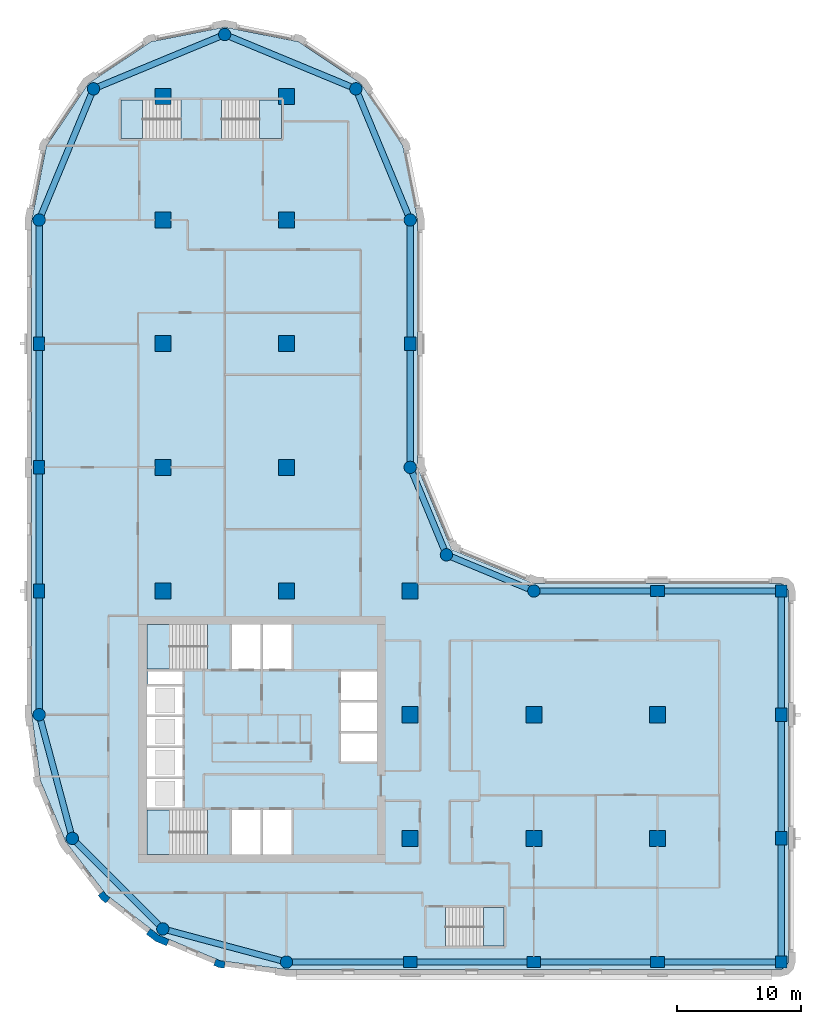
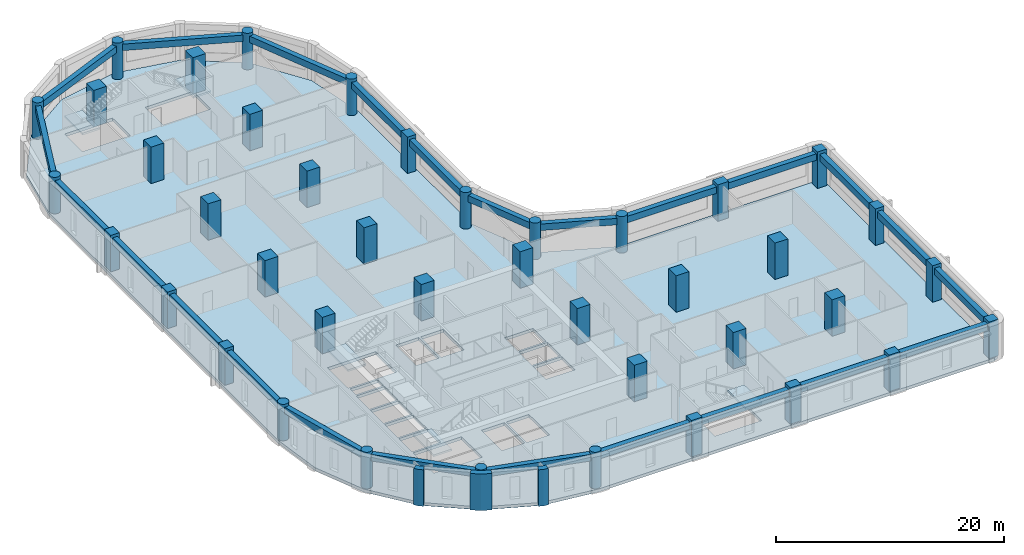
# One storey, part 1 of 10: 41 columns, 24 beams, 6 slabs, 3 walls, 5 elements without a shape of their own.
"""IFC4 building model written with IfcOpenShell, lengths in metres."""

from ifc_helpers import new_model, si_unit, direction, frame, origin, origin_2d, place, context, subcontext, project, spatial, polyline, rectangle, circle, outline, extrude, material, layer, layer_set, material_profile, profile_set, type_object, element, aggregate, save


model = new_model("IFC4")

# Units and contexts
model_context = context("Model", 3, precision=1e-05, world=origin(), true_north=direction((0.0, 1.0)))
body_context = subcontext(model_context, "Body", "Model", "MODEL_VIEW")
ifc_project = project(units=[si_unit("LENGTHUNIT", "METRE"), si_unit("AREAUNIT", "SQUARE_METRE"), si_unit("VOLUMEUNIT", "CUBIC_METRE"), si_unit("PLANEANGLEUNIT", "RADIAN"), si_unit("MASSUNIT", "GRAM", prefix="KILO")], contexts=[model_context])

# Site, building, storey
site_placement = place(None, origin())
site = spatial("IfcSite", under=ifc_project, at=site_placement, CompositionType="ELEMENT")
building_placement = place(site_placement, origin())
building = spatial("IfcBuilding", under=site, at=building_placement, Name="Qaws Garden Tower", CompositionType="ELEMENT")
storey_placement = place(building_placement, frame((0.0, 0.0, 209.699951171875)))
storey = spatial("IfcBuildingStorey", under=building, at=storey_placement, Name="L51", CompositionType="ELEMENT", Elevation=209.699951171875)

# Columns
ifc_material_1 = material(Name="Concrete C70", Category="concrete")
ifc_material_profile_1 = material_profile(ifc_material_1, rectangle(XDim=1.10009765625, YDim=0.89990234375, at=origin_2d()), Name="RC 1100x900")
ifc_profile_set_1 = profile_set([ifc_material_profile_1], Name="Concrete C70")
column_type_1 = type_object("IfcColumnType", Name="Column RC 1100x900 C70", PredefinedType="COLUMN", material=ifc_profile_set_1)
for number, where, z_axis, x_axis, name in (
    (1, (30.0, 0.0, 0.0), (0.0, 0.0, 1.0), (1.0, 0.0, 0.0), "Column L51-002"),
    (2, (40.0, 0.0, 0.0), (0.0, 0.0, 1.0), (1.0, 0.0, 0.0), "Column L51-003"),
    (3, (50.0, 0.0, 0.0), (0.0, 0.0, 1.0), (1.0, 0.0, 0.0), "Column L51-004"),
    (4, (60.0, 10.0, 0.0), (0.0, 0.0, 1.0), (0.0, 1.0, 0.0), "Column L51-006"),
    (5, (60.0, 20.0, 0.0), (0.0, 0.0, 1.0), (0.0, 1.0, 0.0), "Column L51-007"),
    (6, (50.0, 30.0, 0.0), (0.0, 0.0, 1.0), (1.0, 0.0, 0.0), "Column L51-009"),
    (7, (30.0, 50.0, 0.0), (0.0, 0.0, 1.0), (0.0, 1.0, 0.0), "Column L51-013"),
    (8, (0.0, 50.0, 0.0), (0.0, 0.0, 1.0), (0.0, 1.0, 0.0), "Column L51-019"),
    (9, (0.0, 40.0, 0.0), (0.0, 0.0, 1.0), (0.0, 1.0, 0.0), "Column L51-020"),
    (10, (0.0, 30.0, 0.0), (0.0, 0.0, 1.0), (0.0, 1.0, 0.0), "Column L51-021"),
):
    element("IfcColumn", number, at=place(storey_placement, frame(where, z_axis=z_axis, x_axis=x_axis)), inside=storey, type_object=column_type_1, Name=name, PredefinedType="COLUMN", context=body_context, shape_type="SweptSolid", body=[
        extrude(rectangle(XDim=1.10009765625, YDim=0.89990234375, at=origin_2d()), origin(), (0.0, 0.0, 1.0), 3.900146484375),
    ])
ifc_material_2 = material(Name="Concrete C70", Category="concrete")
ifc_material_profile_2 = material_profile(ifc_material_2, rectangle(XDim=1.300048828125, YDim=1.300048828125, at=origin_2d()), Name="RC 1300x1300")
ifc_profile_set_2 = profile_set([ifc_material_profile_2], Name="Concrete C70")
column_type_2 = type_object("IfcColumnType", Name="Column RC 1300x1300 C70", PredefinedType="COLUMN", material=ifc_profile_set_2)
for number, where, z_axis, x_axis, name in (
    (11, (10.0, 30.0, 0.0), (0.0, 0.0, 1.0), (1.0, 0.0, 0.0), "Column L51-025"),
    (12, (10.0, 40.0, 0.0), (0.0, 0.0, 1.0), (1.0, 0.0, 0.0), "Column L51-026"),
    (13, (10.0, 50.0, 0.0), (0.0, 0.0, 1.0), (1.0, 0.0, 0.0), "Column L51-027"),
    (14, (10.0, 60.0, 0.0), (0.0, 0.0, 1.0), (1.0, 0.0, 0.0), "Column L51-028"),
    (15, (10.0, 70.0, 0.0), (0.0, 0.0, 1.0), (1.0, 0.0, 0.0), "Column L51-029"),
    (16, (20.0, 30.0, 0.0), (0.0, 0.0, 1.0), (1.0, 0.0, 0.0), "Column L51-030"),
    (17, (20.0, 40.0, 0.0), (0.0, 0.0, 1.0), (1.0, 0.0, 0.0), "Column L51-031"),
    (18, (20.0, 50.0, 0.0), (0.0, 0.0, 1.0), (1.0, 0.0, 0.0), "Column L51-032"),
    (19, (20.0, 60.0, 0.0), (0.0, 0.0, 1.0), (1.0, 0.0, 0.0), "Column L51-033"),
    (20, (20.0, 70.0, 0.0), (0.0, 0.0, 1.0), (1.0, 0.0, 0.0), "Column L51-034"),
    (21, (30.0, 10.0, 0.0), (0.0, 0.0, 1.0), (1.0, 0.0, 0.0), "Column L51-035"),
    (22, (30.0, 20.0, 0.0), (0.0, 0.0, 1.0), (1.0, 0.0, 0.0), "Column L51-036"),
    (23, (30.0, 30.0, 0.0), (0.0, 0.0, 1.0), (1.0, 0.0, 0.0), "Column L51-037"),
    (24, (40.0, 10.0, 0.0), (0.0, 0.0, 1.0), (1.0, 0.0, 0.0), "Column L51-038"),
    (25, (40.0, 20.0, 0.0), (0.0, 0.0, 1.0), (1.0, 0.0, 0.0), "Column L51-039"),
    (26, (50.0, 10.0, 0.0), (0.0, 0.0, 1.0), (1.0, 0.0, 0.0), "Column L51-040"),
    (27, (50.0, 20.0, 0.0), (0.0, 0.0, 1.0), (1.0, 0.0, 0.0), "Column L51-041"),
):
    element("IfcColumn", number, at=place(storey_placement, frame(where, z_axis=z_axis, x_axis=x_axis)), inside=storey, type_object=column_type_2, Name=name, PredefinedType="COLUMN", context=body_context, shape_type="SweptSolid", body=[
        extrude(rectangle(XDim=1.300048828125, YDim=1.300048828125, at=origin_2d()), origin(), (0.0, 0.0, 1.0), 3.900146484375),
    ])
ifc_material_3 = material(Name="Concrete C70", Category="concrete")
ifc_material_profile_3 = material_profile(ifc_material_3, rectangle(XDim=0.949951171875, YDim=0.949951171875, at=origin_2d()), Name="RC 950x950")
ifc_profile_set_3 = profile_set([ifc_material_profile_3], Name="Concrete C70")
column_type_3 = type_object("IfcColumnType", Name="Column RC 950x950 C70", PredefinedType="COLUMN", material=ifc_profile_set_3)
for number, where, z_axis, x_axis, name in (
    (28, (60.0, 0.0, 0.0), (0.0, 0.0, 1.0), (1.0, 0.0, 0.0), "Column L51-005"),
    (29, (60.0, 30.0, 0.0), (0.0, 0.0, 1.0), (1.0, 0.0, 0.0), "Column L51-008"),
):
    element("IfcColumn", number, at=place(storey_placement, frame(where, z_axis=z_axis, x_axis=x_axis)), inside=storey, type_object=column_type_3, Name=name, PredefinedType="COLUMN", context=body_context, shape_type="SweptSolid", body=[
        extrude(rectangle(XDim=0.949951171875, YDim=0.949951171875, at=origin_2d()), origin(), (0.0, 0.0, 1.0), 3.900146484375),
    ])
ifc_material_4 = material(Name="Concrete C70", Category="concrete")
ifc_material_profile_4 = material_profile(ifc_material_4, circle(Radius=0.5, at=origin_2d()), Name="RC D1000")
ifc_profile_set_4 = profile_set([ifc_material_profile_4], Name="Concrete C70")
column_type_4 = type_object("IfcColumnType", Name="Column RC D1000 C70", PredefinedType="COLUMN", material=ifc_profile_set_4)
for number, where, z_axis, x_axis, name in (
    (30, (20.0, 0.0, 0.0), (0.0, 0.0, 1.0), (1.0, 0.0, 0.0), "Column L51-001"),
    (31, (40.0, 30.0, 0.0), (0.0, 0.0, 1.0), (1.0, 0.0, 0.0), "Column L51-010"),
    (32, (32.928955078125, 32.928955078125, 0.0), (0.0, 0.0, 1.0), (1.0, 0.0, 0.0), "Column L51-011"),
    (33, (30.0, 40.0, 0.0), (0.0, 0.0, 1.0), (1.0, 0.0, 0.0), "Column L51-012"),
    (34, (30.0, 60.0, 0.0), (0.0, 0.0, 1.0), (1.0, 0.0, 0.0), "Column L51-014"),
    (35, (25.606689453125, 70.606689453125, 0.0), (0.0, 0.0, 1.0), (1.0, 0.0, 0.0), "Column L51-015"),
    (36, (15.0, 75.0, 0.0), (0.0, 0.0, 1.0), (1.0, 0.0, 0.0), "Column L51-016"),
    (37, (4.393310546875, 70.606689453125, 0.0), (0.0, 0.0, 1.0), (1.0, 0.0, 0.0), "Column L51-017"),
    (38, (0.0, 60.0, 0.0), (0.0, 0.0, 1.0), (1.0, 0.0, 0.0), "Column L51-018"),
    (39, (0.0, 20.0, 0.0), (0.0, 0.0, 1.0), (1.0, 0.0, 0.0), "Column L51-022"),
    (40, (2.679443359375, 10.0, 0.0), (0.0, 0.0, 1.0), (1.0, 0.0, 0.0), "Column L51-023"),
    (41, (10.0, 2.679443359375, 0.0), (0.0, 0.0, 1.0), (1.0, 0.0, 0.0), "Column L51-024"),
):
    element("IfcColumn", number, at=place(storey_placement, frame(where, z_axis=z_axis, x_axis=x_axis)), inside=storey, type_object=column_type_4, Name=name, PredefinedType="COLUMN", context=body_context, shape_type="SweptSolid", body=[
        extrude(circle(Radius=0.5, at=origin_2d()), origin(), (0.0, 0.0, 1.0), 3.900146484375),
    ])

# Beams
ifc_material_5 = material(Name="Concrete C45", Category="concrete")
ifc_material_profile_5 = material_profile(ifc_material_5, rectangle(XDim=0.5, YDim=0.699951171875, at=origin_2d()), Name="RC 500x700")
ifc_profile_set_5 = profile_set([ifc_material_profile_5], Name="Concrete C45")
beam_type = type_object("IfcBeamType", Name="Spandrel beam RC 500x700 C45", PredefinedType="SPANDREL", material=ifc_profile_set_5)
for number, where, z_axis, x_axis, name in (
    (42, (20.0, 0.0, 3.22998046875), (1.0, 0.0, 0.0), (0.0, 1.0, 0.0), "Spandrel beam L51-001"),
    (43, (30.0, 0.0, 3.22998046875), (1.0, 0.0, 0.0), (0.0, 1.0, 0.0), "Spandrel beam L51-002"),
    (44, (40.0, 0.0, 3.22998046875), (1.0, 0.0, 0.0), (0.0, 1.0, 0.0), "Spandrel beam L51-003"),
    (45, (50.0, 0.0, 3.22998046875), (1.0, 0.0, 0.0), (0.0, 1.0, 0.0), "Spandrel beam L51-004"),
    (46, (60.0, 0.0, 3.22998046875), (0.0, 1.0, 0.0), (-1.0, 0.0, 0.0), "Spandrel beam L51-005"),
    (47, (60.0, 10.0, 3.22998046875), (0.0, 1.0, 0.0), (-1.0, 0.0, 0.0), "Spandrel beam L51-006"),
    (48, (60.0, 20.0, 3.22998046875), (0.0, 1.0, 0.0), (-1.0, 0.0, 0.0), "Spandrel beam L51-007"),
    (49, (60.0, 30.0, 3.22998046875), (-1.0, 0.0, 0.0), (0.0, -1.0, 0.0), "Spandrel beam L51-008"),
    (50, (50.0, 30.0, 3.22998046875), (-1.0, 0.0, 0.0), (0.0, -1.0, 0.0), "Spandrel beam L51-009"),
):
    element("IfcBeam", number, at=place(storey_placement, frame(where, z_axis=z_axis, x_axis=x_axis)), inside=storey, type_object=beam_type, Name=name, PredefinedType="SPANDREL", context=body_context, shape_type="SweptSolid", body=[
        extrude(rectangle(XDim=0.5, YDim=0.699951171875, at=origin_2d()), origin(), (0.0, 0.0, 1.0), 10.0),
    ])
for number, where, z_axis, x_axis, name in (
    (51, (40.0, 30.0, 3.22998046875), (-0.923878037141, 0.382687042488, 0.0), (-0.382687042488, -0.923878037141, 0.0), "Spandrel beam L51-010"),
    (52, (32.928955078125, 32.928955078125, 3.22998046875), (-0.382687042488, 0.923878037141, 0.0), (-0.923878037141, -0.382687042488, 0.0), "Spandrel beam L51-011"),
):
    element("IfcBeam", number, at=place(storey_placement, frame(where, z_axis=z_axis, x_axis=x_axis)), inside=storey, type_object=beam_type, Name=name, PredefinedType="SPANDREL", context=body_context, shape_type="SweptSolid", body=[
        extrude(rectangle(XDim=0.5, YDim=0.699951171875, at=origin_2d()), origin(), (0.0, 0.0, 1.0), 7.653564453125),
    ])
for number, where, z_axis, x_axis, name in (
    (53, (30.0, 40.0, 3.22998046875), (0.0, 1.0, 0.0), (-1.0, 0.0, 0.0), "Spandrel beam L51-012"),
    (54, (30.0, 50.0, 3.22998046875), (0.0, 1.0, 0.0), (-1.0, 0.0, 0.0), "Spandrel beam L51-013"),
):
    element("IfcBeam", number, at=place(storey_placement, frame(where, z_axis=z_axis, x_axis=x_axis)), inside=storey, type_object=beam_type, Name=name, PredefinedType="SPANDREL", context=body_context, shape_type="SweptSolid", body=[
        extrude(rectangle(XDim=0.5, YDim=0.699951171875, at=origin_2d()), origin(), (0.0, 0.0, 1.0), 10.0),
    ])
for number, where, z_axis, x_axis, name in (
    (55, (30.0, 60.0, 3.22998046875), (-0.382674207535, 0.923883353507, 0.0), (-0.923883353507, -0.382674207535, 0.0), "Spandrel beam L51-014"),
    (56, (25.606689453125, 70.606689453125, 3.22998046875), (-0.923883353507, 0.382674207535, 0.0), (-0.382674207535, -0.923883353507, 0.0), "Spandrel beam L51-015"),
    (57, (15.0, 75.0, 3.22998046875), (-0.923883353507, -0.382674207535, 0.0), (0.382674207535, -0.923883353507, 0.0), "Spandrel beam L51-016"),
    (58, (4.393310546875, 70.606689453125, 3.22998046875), (-0.382674207535, -0.923883353507, 0.0), (0.923883353507, -0.382674207535, 0.0), "Spandrel beam L51-017"),
):
    element("IfcBeam", number, at=place(storey_placement, frame(where, z_axis=z_axis, x_axis=x_axis)), inside=storey, type_object=beam_type, Name=name, PredefinedType="SPANDREL", context=body_context, shape_type="SweptSolid", body=[
        extrude(rectangle(XDim=0.5, YDim=0.699951171875, at=origin_2d()), origin(), (0.0, 0.0, 1.0), 11.48046875),
    ])
for number, where, z_axis, x_axis, name in (
    (59, (0.0, 60.0, 3.22998046875), (0.0, -1.0, 0.0), (1.0, 0.0, 0.0), "Spandrel beam L51-018"),
    (60, (0.0, 50.0, 3.22998046875), (0.0, -1.0, 0.0), (1.0, 0.0, 0.0), "Spandrel beam L51-019"),
    (61, (0.0, 40.0, 3.22998046875), (0.0, -1.0, 0.0), (1.0, 0.0, 0.0), "Spandrel beam L51-020"),
    (62, (0.0, 30.0, 3.22998046875), (0.0, -1.0, 0.0), (1.0, 0.0, 0.0), "Spandrel beam L51-021"),
):
    element("IfcBeam", number, at=place(storey_placement, frame(where, z_axis=z_axis, x_axis=x_axis)), inside=storey, type_object=beam_type, Name=name, PredefinedType="SPANDREL", context=body_context, shape_type="SweptSolid", body=[
        extrude(rectangle(XDim=0.5, YDim=0.699951171875, at=origin_2d()), origin(), (0.0, 0.0, 1.0), 10.0),
    ])
for number, where, z_axis, x_axis, name in (
    (63, (0.0, 20.0, 3.22998046875), (0.25881466832, -0.965926999034, 0.0), (0.965926999034, 0.25881466832, 0.0), "Spandrel beam L51-022"),
    (64, (2.679443359375, 10.0, 3.22998046875), (0.707106781187, -0.707106781187, 0.0), (0.707106781187, 0.707106781187, 0.0), "Spandrel beam L51-023"),
    (65, (10.0, 2.679443359375, 3.22998046875), (0.965926999034, -0.25881466832, 0.0), (0.25881466832, 0.965926999034, 0.0), "Spandrel beam L51-024"),
):
    element("IfcBeam", number, at=place(storey_placement, frame(where, z_axis=z_axis, x_axis=x_axis)), inside=storey, type_object=beam_type, Name=name, PredefinedType="SPANDREL", context=body_context, shape_type="SweptSolid", body=[
        extrude(rectangle(XDim=0.5, YDim=0.699951171875, at=origin_2d()), origin(), (0.0, 0.0, 1.0), 10.352783203125),
    ])

# Slab
ifc_material_6 = material(Name="Concrete C40", Category="concrete")
ifc_layer_1 = layer(ifc_material_6, 0.320068359375)
ifc_layer_set_1 = layer_set([ifc_layer_1], Name="Concrete C40")
slab_type_1 = type_object("IfcSlabType", Name="Floor slab 320 C40", PredefinedType="FLOOR", material=ifc_layer_set_1)
slab_1_placement = place(storey_placement, frame((0.0, 0.0, -0.320068359375)))
element("IfcSlab", 66, at=slab_1_placement, inside=storey, type_object=slab_type_1, Name="Floor slab L51", PredefinedType="FLOOR", context=body_context, shape_type="SweptSolid", body=[
    extrude(outline(polyline([(0.101806640625, 14.668212890625), (-0.60009765625, 20.0), (-0.60009765625, 30.60009765625), (-0.60009765625, 60.0), (-0.60009765625, 60.0), (0.58740234375, 65.969970703125), (3.968994140625, 71.031005859375), (9.030029296875, 74.41259765625), (15.0, 75.60009765625), (20.969970703125, 74.41259765625), (26.031005859375, 71.031005859375), (29.41259765625, 65.969970703125), (30.60009765625, 60.0), (30.60009765625, 40.0), (33.353271484375, 33.353271484375), (40.0, 30.60009765625), (60.0, 30.60009765625), (60.42431640625, 30.42431640625), (60.60009765625, 30.0), (60.60009765625, 0.0), (60.42431640625, -0.42431640625), (60.0, -0.60009765625), (30.60009765625, -0.60009765625), (20.0, -0.60009765625), (14.668212890625, 0.101806640625), (9.699951171875, 2.159912109375), (5.43359375, 5.43359375), (2.159912109375, 9.699951171875), (0.101806640625, 14.668212890625)]), holes=[polyline([(13.599609375, 12.300048828125), (8.699951171875, 12.300048828125), (8.699951171875, 8.699951171875), (13.599609375, 8.699951171875), (13.599609375, 12.300048828125)]), polyline([(17.89990234375, 12.300048828125), (15.60009765625, 12.300048828125), (15.60009765625, 8.699951171875), (17.89990234375, 8.699951171875), (17.89990234375, 12.300048828125)]), polyline([(11.60009765625, 14.800048828125), (8.699951171875, 14.800048828125), (8.699951171875, 12.5), (11.60009765625, 12.5), (11.60009765625, 14.800048828125)]), polyline([(11.60009765625, 17.300048828125), (8.699951171875, 17.300048828125), (8.699951171875, 15.0), (11.60009765625, 15.0), (11.60009765625, 17.300048828125)]), polyline([(11.60009765625, 19.800048828125), (8.699951171875, 19.800048828125), (8.699951171875, 17.5), (11.60009765625, 17.5), (11.60009765625, 19.800048828125)]), polyline([(11.60009765625, 22.300048828125), (8.699951171875, 22.300048828125), (8.699951171875, 20.0), (11.60009765625, 20.0), (11.60009765625, 22.300048828125)]), polyline([(11.60009765625, 23.5), (8.800048828125, 23.5), (8.800048828125, 22.5), (11.60009765625, 22.5), (11.60009765625, 23.5)]), polyline([(13.599609375, 27.300048828125), (8.699951171875, 27.300048828125), (8.699951171875, 23.699951171875), (13.599609375, 23.699951171875), (13.599609375, 27.300048828125)]), polyline([(11.449462890625, 69.699951171875), (6.60009765625, 69.699951171875), (6.60009765625, 66.60009765625), (11.449462890625, 66.60009765625), (11.449462890625, 69.699951171875)]), polyline([(37.60009765625, 4.39990234375), (32.8505859375, 4.39990234375), (32.8505859375, 1.300048828125), (37.60009765625, 1.300048828125), (37.60009765625, 4.39990234375)]), polyline([(20.39990234375, 12.300048828125), (18.10009765625, 12.300048828125), (18.10009765625, 8.699951171875), (20.39990234375, 8.699951171875), (20.39990234375, 12.300048828125)]), polyline([(27.300048828125, 18.5), (24.39990234375, 18.5), (24.39990234375, 16.199951171875), (27.300048828125, 16.199951171875), (27.300048828125, 18.5)]), polyline([(27.300048828125, 21.0), (24.39990234375, 21.0), (24.39990234375, 18.699951171875), (27.300048828125, 18.699951171875), (27.300048828125, 21.0)]), polyline([(27.300048828125, 23.5), (24.39990234375, 23.5), (24.39990234375, 21.199951171875), (27.300048828125, 21.199951171875), (27.300048828125, 23.5)]), polyline([(17.89990234375, 27.300048828125), (15.60009765625, 27.300048828125), (15.60009765625, 23.699951171875), (17.89990234375, 23.699951171875), (17.89990234375, 27.300048828125)]), polyline([(20.39990234375, 23.699951171875), (20.39990234375, 27.300048828125), (18.10009765625, 27.300048828125), (18.10009765625, 23.699951171875), (20.39990234375, 23.699951171875)]), polyline([(19.60009765625, 66.60009765625), (19.60009765625, 69.699951171875), (14.75048828125, 69.699951171875), (14.75048828125, 66.60009765625), (19.60009765625, 66.60009765625)])]), origin(), (0.0, 0.0, 1.0), 0.320068359375),
])

# Stair, slab
ifc_material_7 = material(Name="Concrete C40", Category="concrete")
stair_type_1 = type_object("IfcStairType", Name="Exit stair 1500", PredefinedType="HALF_TURN_STAIR", material=ifc_material_7)
placement_1 = place(storey_placement, origin())
stair_1 = element("IfcStair", 67, at=placement_1, inside=storey, type_object=stair_type_1, Name="Stair 1", PredefinedType="HALF_TURN_STAIR")
ifc_material_8 = material(Name="Concrete C40", Category="concrete")
ifc_layer_2 = layer(ifc_material_8, 0.199951171875)
ifc_layer_set_2 = layer_set([ifc_layer_2], Name="Concrete C40")
slab_type_2 = type_object("IfcSlabType", Name="Stair landing 200", PredefinedType="LANDING", material=ifc_layer_set_2)
placement_2 = place(storey_placement, frame((0.0, 0.0, 1.75)))
slab_2 = element("IfcSlab", 68, at=placement_2, type_object=slab_type_2, Name="ST1 landing 1", PredefinedType="LANDING", context=body_context, shape_type="SweptSolid", body=[
    extrude(outline(polyline([(8.699951171875, 8.699951171875), (10.52001953125, 8.699951171875), (10.52001953125, 12.300048828125), (8.699951171875, 12.300048828125), (8.699951171875, 8.699951171875)])), origin(), (0.0, 0.0, 1.0), 0.199951171875),
])
aggregate(stair_1, [slab_2])

stair_2 = element("IfcStair", 69, at=placement_1, inside=storey, type_object=stair_type_1, Name="Stair 4", PredefinedType="HALF_TURN_STAIR")
slab_3 = element("IfcSlab", 70, at=placement_2, type_object=slab_type_2, Name="ST4 landing 1", PredefinedType="LANDING", context=body_context, shape_type="SweptSolid", body=[
    extrude(outline(polyline([(8.699951171875, 23.699951171875), (10.52001953125, 23.699951171875), (10.52001953125, 27.300048828125), (8.699951171875, 27.300048828125), (8.699951171875, 23.699951171875)])), origin(), (0.0, 0.0, 1.0), 0.199951171875),
])
aggregate(stair_2, [slab_3])

ifc_material_9 = material(Name="Concrete C40", Category="concrete")
stair_type_2 = type_object("IfcStairType", Name="Exit stair 1350", PredefinedType="HALF_TURN_STAIR", material=ifc_material_9)
stair_3 = element("IfcStair", 71, at=placement_1, inside=storey, type_object=stair_type_2, Name="Stair 5", PredefinedType="HALF_TURN_STAIR")
slab_4 = element("IfcSlab", 72, at=placement_2, type_object=slab_type_2, Name="ST5 landing 1", PredefinedType="LANDING", context=body_context, shape_type="SweptSolid", body=[
    extrude(outline(polyline([(35.929931640625, 1.300048828125), (37.60009765625, 1.300048828125), (37.60009765625, 4.39990234375), (35.929931640625, 4.39990234375), (35.929931640625, 1.300048828125)])), origin(), (0.0, 0.0, 1.0), 0.199951171875),
])
aggregate(stair_3, [slab_4])

stair_4 = element("IfcStair", 73, at=placement_1, inside=storey, type_object=stair_type_2, Name="Stair 6", PredefinedType="HALF_TURN_STAIR")
slab_5 = element("IfcSlab", 74, at=placement_2, type_object=slab_type_2, Name="ST6 landing 1", PredefinedType="LANDING", context=body_context, shape_type="SweptSolid", body=[
    extrude(outline(polyline([(6.60009765625, 66.60009765625), (8.3701171875, 66.60009765625), (8.3701171875, 69.699951171875), (6.60009765625, 69.699951171875), (6.60009765625, 66.60009765625)])), origin(), (0.0, 0.0, 1.0), 0.199951171875),
])
aggregate(stair_4, [slab_5])

stair_5 = element("IfcStair", 75, at=placement_1, inside=storey, type_object=stair_type_2, Name="Stair 7", PredefinedType="HALF_TURN_STAIR")
slab_6 = element("IfcSlab", 76, at=placement_2, type_object=slab_type_2, Name="ST7 landing 1", PredefinedType="LANDING", context=body_context, shape_type="SweptSolid", body=[
    extrude(outline(polyline([(17.830078125, 66.60009765625), (19.60009765625, 66.60009765625), (19.60009765625, 69.699951171875), (17.830078125, 69.699951171875), (17.830078125, 66.60009765625)])), origin(), (0.0, 0.0, 1.0), 0.199951171875),
])
aggregate(stair_5, [slab_6])

# Walls
ifc_material_10 = material(Name="Clay facing brick masonry", Category="masonry")
ifc_layer_3 = layer(ifc_material_10, 0.550048828125)
ifc_layer_set_3 = layer_set([ifc_layer_3], Name="Clay facing brick masonry")
wall_type_1 = type_object("IfcWallType", Name="Brick kink pier 550 x 600", PredefinedType="SOLIDWALL", material=ifc_layer_set_3)
element("IfcWall", 77, at=placement_1, inside=storey, type_object=wall_type_1, Name="E-L51-pier-28", PredefinedType="SOLIDWALL", context=body_context, shape_type="SweptSolid", body=[
    extrude(outline(polyline([(4.8818359375, 5.487060546875), (4.762939453125, 5.395751953125), (5.03759765625, 5.03759765625), (5.395751953125, 4.762939453125), (5.487060546875, 4.8818359375), (5.730712890625, 5.19921875), (5.429931640625, 5.429931640625), (5.19921875, 5.730712890625), (4.8818359375, 5.487060546875)])), origin(), (0.0, 0.0, 1.0), 3.900146484375),
])
element("IfcWall", 78, at=placement_1, inside=storey, type_object=wall_type_1, Name="E-L51-pier-30", PredefinedType="SOLIDWALL", context=body_context, shape_type="SweptSolid", body=[
    extrude(outline(polyline([(14.163818359375, -0.127685546875), (14.1064453125, -0.26611328125), (14.5234375, -0.43896484375), (14.970947265625, -0.497802734375), (14.990478515625, -0.34912109375), (15.042724609375, 0.04736328125), (14.6669921875, 0.096923828125), (14.31689453125, 0.241943359375), (14.163818359375, -0.127685546875)])), origin(), (0.0, 0.0, 1.0), 3.900146484375),
])
ifc_material_11 = material(Name="Clay facing brick masonry", Category="masonry")
ifc_layer_4 = layer(ifc_material_11, 0.550048828125)
ifc_layer_set_4 = layer_set([ifc_layer_4], Name="Clay facing brick masonry")
wall_type_2 = type_object("IfcWallType", Name="Brick pier 550 x 1600", PredefinedType="SOLIDWALL", material=ifc_layer_set_4)
element("IfcWall", 79, at=placement_1, inside=storey, type_object=wall_type_2, Name="E-L51-pier-29", PredefinedType="SOLIDWALL", context=body_context, shape_type="SweptSolid", body=[
    extrude(outline(polyline([(8.756591796875, 2.373046875), (8.665283203125, 2.254150390625), (9.419921875, 1.675048828125), (10.299072265625, 1.310791015625), (10.3564453125, 1.449462890625), (10.509521484375, 1.819091796875), (9.697509765625, 2.1552734375), (9.0, 2.6904296875), (8.756591796875, 2.373046875)])), origin(), (0.0, 0.0, 1.0), 3.900146484375),
])

save(model, "model.ifc")
